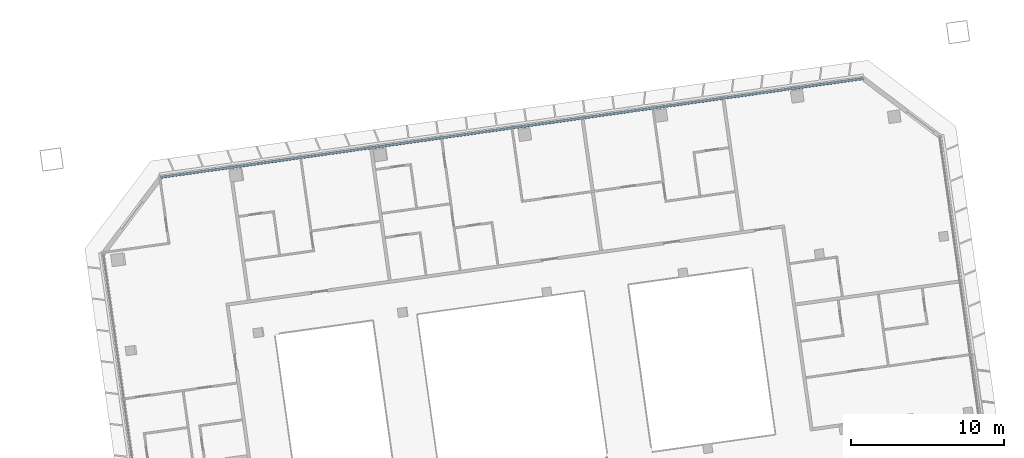
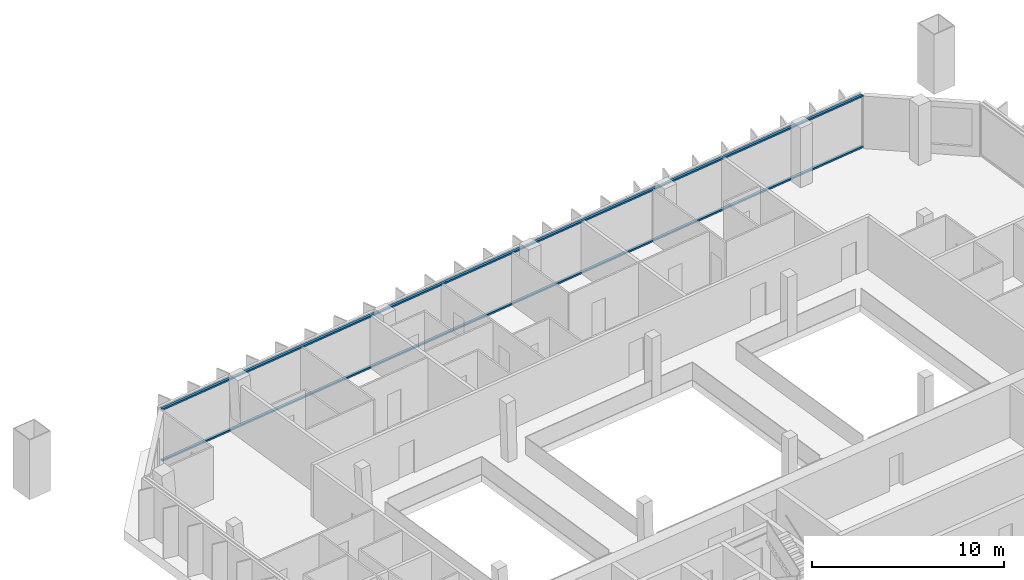
# One storey, part 10 of 23: 2 members, 1 element without a shape of its own.
"""IFC4 building model written with IfcOpenShell, lengths in metres."""

from ifc_helpers import new_model, si_unit, direction, frame, origin, origin_2d, place, context, subcontext, project, spatial, rectangle, extrude, material, material_profile, profile_set, type_object, element, aggregate, save


model = new_model("IFC4")

# Units and contexts
model_context = context("Model", 3, precision=1e-05, world=origin(), true_north=direction((0.0, 1.0)))
body_context = subcontext(model_context, "Body", "Model", "MODEL_VIEW")
ifc_project = project(units=[si_unit("LENGTHUNIT", "METRE"), si_unit("AREAUNIT", "SQUARE_METRE"), si_unit("VOLUMEUNIT", "CUBIC_METRE"), si_unit("PLANEANGLEUNIT", "RADIAN"), si_unit("MASSUNIT", "GRAM", prefix="KILO")], contexts=[model_context])

# Site, building, storey
site_placement = place(None, origin())
site = spatial("IfcSite", under=ifc_project, at=site_placement, CompositionType="ELEMENT")
building_placement = place(site_placement, origin())
building = spatial("IfcBuilding", under=site, at=building_placement, Name="Mirante Cascada Hotel Towers", CompositionType="ELEMENT")
storey_placement = place(building_placement, frame((0.0, 0.0, 187.8)))
storey = spatial("IfcBuildingStorey", under=building, at=storey_placement, Name="L44", CompositionType="ELEMENT", Elevation=187.8)

# Curtain wall, members
ifc_material_1 = material(Name="Aluminium mullion and transom frame with clear laminated glass", Category="aluminium")
curtain_wall_type = type_object("IfcCurtainWallType", Name="Ribbon curtain wall ECW1", PredefinedType="NOTDEFINED", material=ifc_material_1)
curtain_wall_placement = place(storey_placement, origin())
curtain_wall = element("IfcCurtainWall", 1, at=curtain_wall_placement, inside=storey, type_object=curtain_wall_type, Name="Front ribbon wall T2 L44", PredefinedType="NOTDEFINED")
ifc_material_2 = material(Name="Anodised aluminium extrusion", Category="aluminium")
ifc_material_profile = material_profile(ifc_material_2, rectangle(XDim=0.16, YDim=0.1, at=origin_2d()), Name="ECW1 TRANSOM 100x160")
ifc_profile_set = profile_set([ifc_material_profile], Name="Anodised aluminium extrusion")
member_type = type_object("IfcMemberType", Name="ECW1 transom 100x160", PredefinedType="USERDEFINED", material=ifc_profile_set)
member_1_placement = place(storey_placement, frame((76.3333, 23.547, 0.05), z_axis=(-0.990268, -0.1391739, 0.0), x_axis=(0.1391739, -0.990268, 0.0)))
member_1 = element("IfcMember", 2, at=member_1_placement, type_object=member_type, Name="ECW1 sill transom", ObjectType="TRANSOM", PredefinedType="USERDEFINED", context=body_context, shape_type="SweptSolid", body=[
    extrude(rectangle(XDim=0.16, YDim=0.1, at=origin_2d()), origin(), (0.0, 0.0, 1.0), 46.4031),
])
member_2_placement = place(storey_placement, frame((76.3333, 23.547, 3.3), z_axis=(-0.990268, -0.1391739, 0.0), x_axis=(0.1391739, -0.990268, 0.0)))
member_2 = element("IfcMember", 3, at=member_2_placement, type_object=member_type, Name="ECW1 head transom", ObjectType="TRANSOM", PredefinedType="USERDEFINED", context=body_context, shape_type="SweptSolid", body=[
    extrude(rectangle(XDim=0.16, YDim=0.1, at=origin_2d()), origin(), (0.0, 0.0, 1.0), 46.4031),
])
aggregate(curtain_wall, [member_1, member_2])

save(model, "model.ifc")
